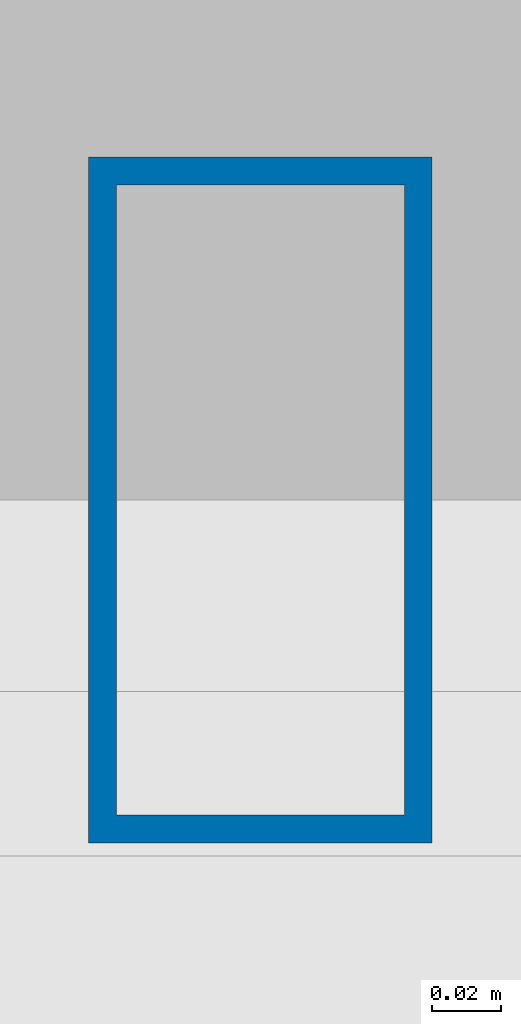
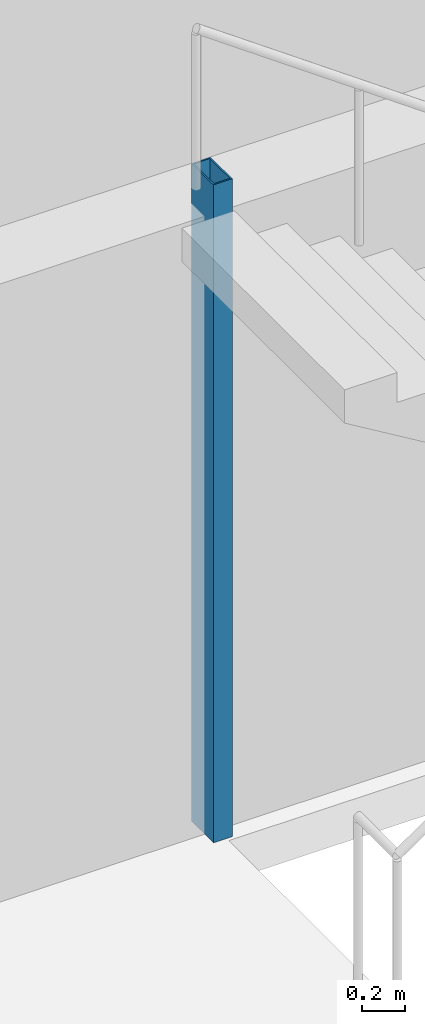
# One storey, part 2 of 17: 1 column.
"""IFC4 building model written with IfcOpenShell, lengths in metres."""

from ifc_helpers import new_model, si_unit, direction, frame, origin, origin_2d, place, context, subcontext, project, spatial, hollow_rectangle, extrude, material, material_profile, profile_set, type_object, element, save


model = new_model("IFC4")

# Units and contexts
model_context = context("Model", 3, precision=1e-05, world=origin(), true_north=direction((0.0, 1.0)))
body_context = subcontext(model_context, "Body", "Model", "MODEL_VIEW")
ifc_project = project(units=[si_unit("LENGTHUNIT", "METRE"), si_unit("AREAUNIT", "SQUARE_METRE"), si_unit("VOLUMEUNIT", "CUBIC_METRE"), si_unit("PLANEANGLEUNIT", "RADIAN"), si_unit("MASSUNIT", "GRAM", prefix="KILO")], contexts=[model_context])

# Site, building, storey
site_placement = place(None, origin())
site = spatial("IfcSite", under=ifc_project, at=site_placement, CompositionType="ELEMENT")
building_placement = place(site_placement, origin())
building = spatial("IfcBuilding", under=site, at=building_placement, Name="Menara Jurai Vektor", CompositionType="ELEMENT")
storey_placement = place(building_placement, frame((0.0, 0.0, 109.60009765625)))
storey = spatial("IfcBuildingStorey", under=building, at=storey_placement, Name="L27", CompositionType="ELEMENT", Elevation=109.60009765625)

# Column
ifc_material = material(Name="Steel S355", Category="steel")
ifc_material_profile = material_profile(ifc_material, hollow_rectangle(XDim=0.10009765625, YDim=0.199951171875, WallThickness=0.008056640625, at=origin_2d()), Name="RHS 200x100x8")
ifc_profile_set = profile_set([ifc_material_profile], Name="Steel S355")
column_type = type_object("IfcColumnType", Name="STR-COL-STAIR", PredefinedType="COLUMN", material=ifc_profile_set)
column_placement = place(storey_placement, frame((-11.1201171875, 5.419921875, 0.0), z_axis=(0.0, 0.0, 1.0), x_axis=(1.0, 0.0, 0.0)))
element("IfcColumn", 1, at=column_placement, inside=storey, type_object=column_type, Name="Stair Well Header Column ST1-P2 L27", PredefinedType="COLUMN", context=body_context, shape_type="SweptSolid", body=[
    extrude(hollow_rectangle(XDim=0.10009765625, YDim=0.199951171875, WallThickness=0.008056640625, at=origin_2d()), origin(), (0.0, 0.0, 1.0), 3.699951171875),
])

save(model, "model.ifc")
